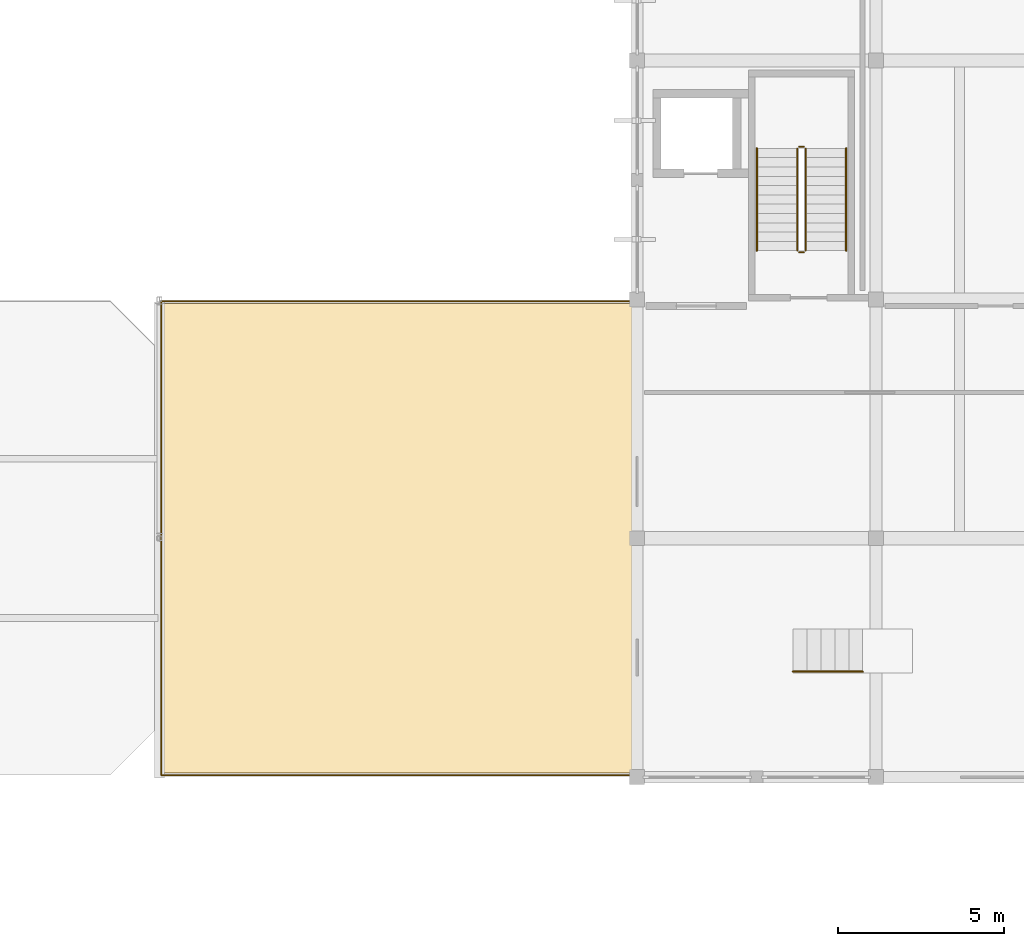
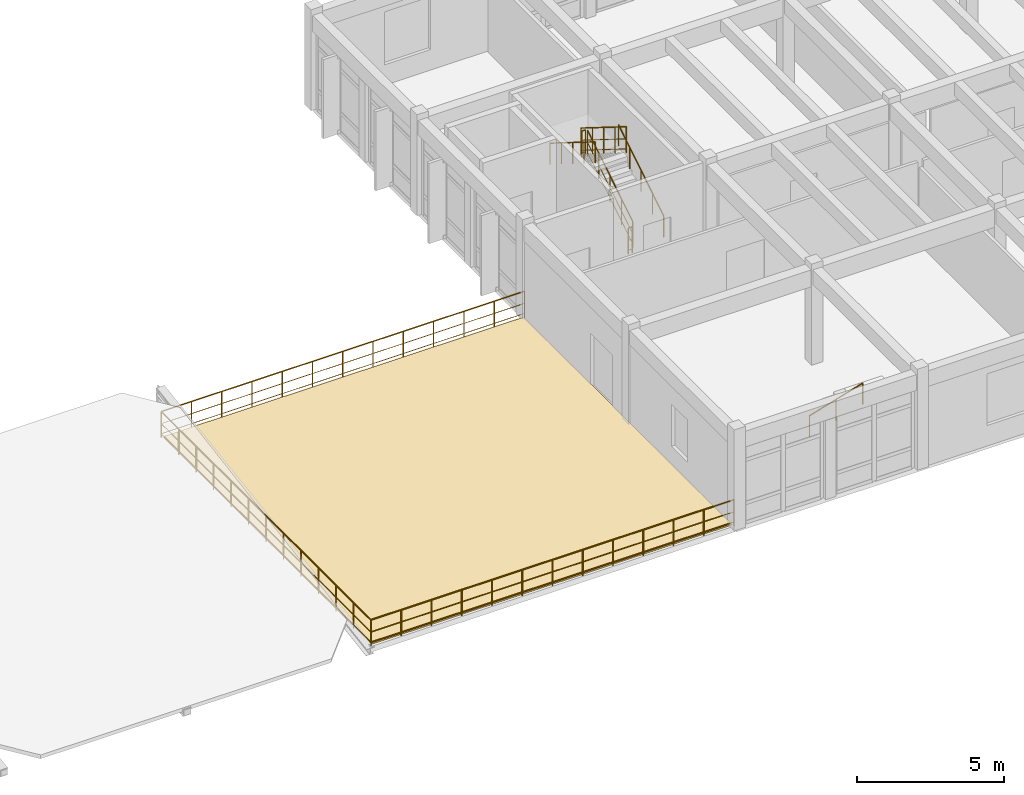
# One storey, part 130 of 136: 10 railings, 1 covering.
"""IFC4 building model written with IfcOpenShell, lengths in metres."""

from ifc_helpers import new_model, si_unit, direction, frame, origin, origin_2d, place, context, subcontext, project, spatial, polyline, circle, outline, extrude, material, layer, layer_set, type_object, element, save


model = new_model("IFC4")

# Units and contexts
model_context = context("Model", 3, precision=1e-05, world=origin(), true_north=direction((0.0, 1.0)))
body_context = subcontext(model_context, "Body", "Model", "MODEL_VIEW")
ifc_project = project(units=[si_unit("LENGTHUNIT", "METRE"), si_unit("AREAUNIT", "SQUARE_METRE"), si_unit("VOLUMEUNIT", "CUBIC_METRE"), si_unit("PLANEANGLEUNIT", "RADIAN"), si_unit("MASSUNIT", "GRAM", prefix="KILO")], contexts=[model_context])

# Site, building, storey
site_placement = place(None, origin())
site = spatial("IfcSite", under=ifc_project, at=site_placement, CompositionType="ELEMENT")
building_placement = place(site_placement, origin())
building = spatial("IfcBuilding", under=site, at=building_placement, Name="Koriwan Promenade Central Fire Station", CompositionType="ELEMENT")
storey_placement = place(building_placement, frame((0.0, 0.0, 5.39990234375)))
storey = spatial("IfcBuildingStorey", under=building, at=storey_placement, Name="L01", CompositionType="ELEMENT", Elevation=5.39990234375)

# Covering
ifc_material_1 = material(Name="Waterproofed xerophytic roof-garden drainage build-up", Category="membrane")
ifc_layer_1 = layer(ifc_material_1, 0.06005859375, Name="Waterproofed xerophytic roof-garden drainage build-up")
ifc_layer_set_1 = layer_set([ifc_layer_1], Name="Waterproofed xerophytic roof-garden drainage build-up")
covering_type = type_object("IfcCoveringType", Name="RoofCovering_Garden", PredefinedType="ROOFING", material=ifc_layer_set_1)
covering_placement = place(storey_placement, origin())
element("IfcCovering", 1, at=covering_placement, inside=storey, type_object=covering_type, Name="Crew West Veranda Terrace waterproofed garden build-up", PredefinedType="ROOFING", context=body_context, shape_type="SweptSolid", body=[
    extrude(outline(polyline([(28.679931640625, 43.320068359375), (14.52001953125, 43.320068359375), (14.52001953125, 57.47998046875), (28.679931640625, 57.47998046875), (28.679931640625, 43.320068359375)])), origin(), (0.0, 0.0, 1.0), 0.06005859375),
])

# Railings
ifc_material_2 = material(Name="Steel ASTM A500 Grade C", Category="steel")
ifc_layer_2 = layer(ifc_material_2, 0.050048828125, Name="Steel ASTM A500 Grade C")
ifc_layer_set_2 = layer_set([ifc_layer_2], Name="Steel ASTM A500 Grade C")
railing_type_1 = type_object("IfcRailingType", Name="StairGuard_1100", PredefinedType="BALUSTRADE", material=ifc_layer_set_2)
railing_1_placement = place(storey_placement, frame((33.8798828125, 59.070068359375, 0.175048828125)))
element("IfcRailing", 2, at=railing_1_placement, inside=storey, type_object=railing_type_1, Name="L01 ST18 stair guard 1", PredefinedType="BALUSTRADE", context=body_context, shape_type="SweptSolid", body=[
    extrude(circle(Radius=0.02392578125, at=origin_2d()), frame((0.0, 0.0, 1.076171875), z_axis=(0.0, 0.847979421464, 0.530029150871), x_axis=(-1.0, 0.0, 0.0)), (0.0, 0.0, 1.0), 3.632080078125),
    extrude(circle(Radius=0.012939453125, at=origin_2d()), frame((0.0, 0.0, 0.572021484375), z_axis=(0.0, 0.847979421464, 0.530029150871), x_axis=(-1.0, 0.0, 0.0)), (0.0, 0.0, 1.0), 3.632080078125),
    extrude(circle(Radius=0.012939453125, at=origin_2d()), frame((0.0, 0.0, 0.154052734375), z_axis=(0.0, 0.847979421464, 0.530029150871), x_axis=(-1.0, 0.0, 0.0)), (0.0, 0.0, 1.0), 3.632080078125),
    extrude(circle(Radius=0.02099609375, at=origin_2d()), origin(), (0.0, 0.0, 1.0), 1.052001953125),
    extrude(circle(Radius=0.02099609375, at=origin_2d()), frame((0.0, 0.77001953125, 0.481201171875)), (0.0, 0.0, 1.0), 1.052001953125),
    extrude(circle(Radius=0.02099609375, at=origin_2d()), frame((0.0, 1.5400390625, 0.96240234375)), (0.0, 0.0, 1.0), 1.052001953125),
    extrude(circle(Radius=0.02099609375, at=origin_2d()), frame((0.0, 2.309814453125, 1.44384765625)), (0.0, 0.0, 1.0), 1.052001953125),
    extrude(circle(Radius=0.02099609375, at=origin_2d()), frame((0.0, 3.079833984375, 1.925048828125)), (0.0, 0.0, 1.0), 1.052001953125),
])
railing_2_placement = place(storey_placement, frame((33.830078125, 62.199951171875, 2.10009765625)))
element("IfcRailing", 3, at=railing_2_placement, inside=storey, type_object=railing_type_1, Name="L01 ST18 stair guard 2", PredefinedType="BALUSTRADE", context=body_context, shape_type="SweptSolid", body=[
    extrude(circle(Radius=0.02392578125, at=origin_2d()), frame((0.0, 0.0, 1.076171875), z_axis=(-1.0, 0.0, 0.0), x_axis=(0.0, -1.0, 0.0)), (0.0, 0.0, 1.0), 0.150146484375),
    extrude(circle(Radius=0.012939453125, at=origin_2d()), frame((0.0, 0.0, 0.572021484375), z_axis=(-1.0, 0.0, 0.0), x_axis=(0.0, -1.0, 0.0)), (0.0, 0.0, 1.0), 0.150146484375),
    extrude(circle(Radius=0.012939453125, at=origin_2d()), frame((0.0, 0.0, 0.154052734375), z_axis=(-1.0, 0.0, 0.0), x_axis=(0.0, -1.0, 0.0)), (0.0, 0.0, 1.0), 0.150146484375),
    extrude(circle(Radius=0.02099609375, at=origin_2d()), origin(), (0.0, 0.0, 1.0), 1.052001953125),
    extrude(circle(Radius=0.02099609375, at=origin_2d()), frame((-0.150146484375, 0.0, 0.0)), (0.0, 0.0, 1.0), 1.052001953125),
])
railing_3_placement = place(storey_placement, frame((33.6298828125, 62.14990234375, 2.275146484375)))
element("IfcRailing", 4, at=railing_3_placement, inside=storey, type_object=railing_type_1, Name="L01 ST18 stair guard 3", PredefinedType="BALUSTRADE", context=body_context, shape_type="SweptSolid", body=[
    extrude(circle(Radius=0.02392578125, at=origin_2d()), frame((0.0, 0.0, 1.076171875), z_axis=(0.0, -0.847979421464, 0.530029150871), x_axis=(1.0, 0.0, 0.0)), (0.0, 0.0, 1.0), 3.632080078125),
    extrude(circle(Radius=0.012939453125, at=origin_2d()), frame((0.0, 0.0, 0.572021484375), z_axis=(0.0, -0.847979421464, 0.530029150871), x_axis=(1.0, 0.0, 0.0)), (0.0, 0.0, 1.0), 3.632080078125),
    extrude(circle(Radius=0.012939453125, at=origin_2d()), frame((0.0, 0.0, 0.154052734375), z_axis=(0.0, -0.847979421464, 0.530029150871), x_axis=(1.0, 0.0, 0.0)), (0.0, 0.0, 1.0), 3.632080078125),
    extrude(circle(Radius=0.02099609375, at=origin_2d()), origin(), (0.0, 0.0, 1.0), 1.052001953125),
    extrude(circle(Radius=0.02099609375, at=origin_2d()), frame((0.0, -0.77001953125, 0.481201171875)), (0.0, 0.0, 1.0), 1.052001953125),
    extrude(circle(Radius=0.02099609375, at=origin_2d()), frame((0.0, -1.5400390625, 0.96240234375)), (0.0, 0.0, 1.0), 1.052001953125),
    extrude(circle(Radius=0.02099609375, at=origin_2d()), frame((0.0, -2.309814453125, 1.44384765625)), (0.0, 0.0, 1.0), 1.052001953125),
    extrude(circle(Radius=0.02099609375, at=origin_2d()), frame((0.0, -3.079833984375, 1.925048828125)), (0.0, 0.0, 1.0), 1.052001953125),
])
railing_4_placement = place(storey_placement, frame((33.830078125, 59.02001953125, 0.0)))
element("IfcRailing", 5, at=railing_4_placement, inside=storey, type_object=railing_type_1, Name="L01 ST18 stair guard 4", PredefinedType="BALUSTRADE", context=body_context, shape_type="SweptSolid", body=[
    extrude(circle(Radius=0.02392578125, at=origin_2d()), frame((0.0, 0.0, 1.076171875), z_axis=(-1.0, 0.0, 0.0), x_axis=(0.0, -1.0, 0.0)), (0.0, 0.0, 1.0), 0.150146484375),
    extrude(circle(Radius=0.012939453125, at=origin_2d()), frame((0.0, 0.0, 0.572021484375), z_axis=(-1.0, 0.0, 0.0), x_axis=(0.0, -1.0, 0.0)), (0.0, 0.0, 1.0), 0.150146484375),
    extrude(circle(Radius=0.012939453125, at=origin_2d()), frame((0.0, 0.0, 0.154052734375), z_axis=(-1.0, 0.0, 0.0), x_axis=(0.0, -1.0, 0.0)), (0.0, 0.0, 1.0), 0.150146484375),
    extrude(circle(Radius=0.02099609375, at=origin_2d()), origin(), (0.0, 0.0, 1.0), 1.052001953125),
    extrude(circle(Radius=0.02099609375, at=origin_2d()), frame((-0.150146484375, 0.0, 0.0)), (0.0, 0.0, 1.0), 1.052001953125),
])
ifc_material_3 = material(Name="Stainless steel 316 tubular handrail", Category="steel")
ifc_layer_3 = layer(ifc_material_3, 0.048095703125, Name="Stainless steel 316 tubular handrail")
ifc_layer_set_3 = layer_set([ifc_layer_3], Name="Stainless steel 316 tubular handrail")
railing_type_2 = type_object("IfcRailingType", Name="StairHandrail_900", PredefinedType="HANDRAIL", material=ifc_layer_set_3)
railing_5_placement = place(storey_placement, frame((35.10009765625, 59.070068359375, 0.175048828125)))
element("IfcRailing", 6, at=railing_5_placement, inside=storey, type_object=railing_type_2, Name="L01 ST18 stair handrail 1", PredefinedType="HANDRAIL", context=body_context, shape_type="SweptSolid", body=[
    extrude(circle(Radius=0.02392578125, at=origin_2d()), frame((0.0, 0.0, 0.8759765625), z_axis=(0.0, 0.847979421464, 0.530029150871), x_axis=(-1.0, 0.0, 0.0)), (0.0, 0.0, 1.0), 3.632080078125),
    extrude(circle(Radius=0.02099609375, at=origin_2d()), origin(), (0.0, 0.0, 1.0), 0.851806640625),
    extrude(circle(Radius=0.02099609375, at=origin_2d()), frame((0.0, 0.77001953125, 0.481201171875)), (0.0, 0.0, 1.0), 0.851806640625),
    extrude(circle(Radius=0.02099609375, at=origin_2d()), frame((0.0, 1.5400390625, 0.96240234375)), (0.0, 0.0, 1.0), 0.851806640625),
    extrude(circle(Radius=0.02099609375, at=origin_2d()), frame((0.0, 2.309814453125, 1.44384765625)), (0.0, 0.0, 1.0), 0.851806640625),
    extrude(circle(Radius=0.02099609375, at=origin_2d()), frame((0.0, 3.079833984375, 1.925048828125)), (0.0, 0.0, 1.0), 0.851806640625),
])
railing_6_placement = place(storey_placement, frame((32.409912109375, 62.14990234375, 2.275146484375)))
element("IfcRailing", 7, at=railing_6_placement, inside=storey, type_object=railing_type_2, Name="L01 ST18 stair handrail 2", PredefinedType="HANDRAIL", context=body_context, shape_type="SweptSolid", body=[
    extrude(circle(Radius=0.02392578125, at=origin_2d()), frame((0.0, 0.0, 0.8759765625), z_axis=(0.0, -0.847979421464, 0.530029150871), x_axis=(1.0, 0.0, 0.0)), (0.0, 0.0, 1.0), 3.632080078125),
    extrude(circle(Radius=0.02099609375, at=origin_2d()), origin(), (0.0, 0.0, 1.0), 0.851806640625),
    extrude(circle(Radius=0.02099609375, at=origin_2d()), frame((0.0, -0.77001953125, 0.481201171875)), (0.0, 0.0, 1.0), 0.851806640625),
    extrude(circle(Radius=0.02099609375, at=origin_2d()), frame((0.0, -1.5400390625, 0.96240234375)), (0.0, 0.0, 1.0), 0.851806640625),
    extrude(circle(Radius=0.02099609375, at=origin_2d()), frame((0.0, -2.309814453125, 1.44384765625)), (0.0, 0.0, 1.0), 0.851806640625),
    extrude(circle(Radius=0.02099609375, at=origin_2d()), frame((0.0, -3.079833984375, 1.925048828125)), (0.0, 0.0, 1.0), 0.851806640625),
])
railing_7_placement = place(storey_placement, frame((33.5, 46.3798828125, 0.125)))
element("IfcRailing", 8, at=railing_7_placement, inside=storey, type_object=railing_type_2, Name="DAIS_V4_MESS dais handrail", PredefinedType="HANDRAIL", context=body_context, shape_type="SweptSolid", body=[
    extrude(circle(Radius=0.02392578125, at=origin_2d()), frame((0.0, 0.0, 0.8759765625), z_axis=(0.958455704924, 0.0, 0.28524140951), x_axis=(0.0, 1.0, 0.0)), (0.0, 0.0, 1.0), 2.191162109375),
    extrude(circle(Radius=0.02099609375, at=origin_2d()), origin(), (0.0, 0.0, 1.0), 0.851806640625),
    extrude(circle(Radius=0.02099609375, at=origin_2d()), frame((1.050048828125, 0.0, 0.3125)), (0.0, 0.0, 1.0), 0.851806640625),
    extrude(circle(Radius=0.02099609375, at=origin_2d()), frame((2.10009765625, 0.0, 0.625)), (0.0, 0.0, 1.0), 0.851806640625),
])
ifc_layer_4 = layer(ifc_material_2, 0.06005859375, Name="Steel ASTM A500 Grade C")
ifc_layer_set_4 = layer_set([ifc_layer_4], Name="Steel ASTM A500 Grade C")
railing_type_3 = type_object("IfcRailingType", Name="TerraceGuard_1100", PredefinedType="BALUSTRADE", material=ifc_layer_set_4)
railing_8_placement = place(storey_placement, frame((28.739990234375, 43.260009765625, 0.0)))
element("IfcRailing", 9, at=railing_8_placement, inside=storey, type_object=railing_type_3, Name="Crew West Veranda Terrace protective balustrade 008", PredefinedType="BALUSTRADE", context=body_context, shape_type="SweptSolid", body=[
    extrude(circle(Radius=0.02392578125, at=origin_2d()), frame((0.0, 0.0, 1.076171875), z_axis=(-1.0, 0.0, 0.0), x_axis=(0.0, -1.0, 0.0)), (0.0, 0.0, 1.0), 14.280029296875),
    extrude(circle(Radius=0.012939453125, at=origin_2d()), frame((0.0, 0.0, 0.572021484375), z_axis=(-1.0, 0.0, 0.0), x_axis=(0.0, -1.0, 0.0)), (0.0, 0.0, 1.0), 14.280029296875),
    extrude(circle(Radius=0.012939453125, at=origin_2d()), frame((0.0, 0.0, 0.154052734375), z_axis=(-1.0, 0.0, 0.0), x_axis=(0.0, -1.0, 0.0)), (0.0, 0.0, 1.0), 14.280029296875),
    extrude(circle(Radius=0.02099609375, at=origin_2d()), origin(), (0.0, 0.0, 1.0), 1.052001953125),
    extrude(circle(Radius=0.02099609375, at=origin_2d()), frame((-1.18994140625, 0.0, 0.0)), (0.0, 0.0, 1.0), 1.052001953125),
    extrude(circle(Radius=0.02099609375, at=origin_2d()), frame((-2.3798828125, 0.0, 0.0)), (0.0, 0.0, 1.0), 1.052001953125),
    extrude(circle(Radius=0.02099609375, at=origin_2d()), frame((-3.570068359375, 0.0, 0.0)), (0.0, 0.0, 1.0), 1.052001953125),
    extrude(circle(Radius=0.02099609375, at=origin_2d()), frame((-4.760009765625, 0.0, 0.0)), (0.0, 0.0, 1.0), 1.052001953125),
    extrude(circle(Radius=0.02099609375, at=origin_2d()), frame((-5.949951171875, 0.0, 0.0)), (0.0, 0.0, 1.0), 1.052001953125),
    extrude(circle(Radius=0.02099609375, at=origin_2d()), frame((-7.14013671875, 0.0, 0.0)), (0.0, 0.0, 1.0), 1.052001953125),
    extrude(circle(Radius=0.02099609375, at=origin_2d()), frame((-8.330078125, 0.0, 0.0)), (0.0, 0.0, 1.0), 1.052001953125),
    extrude(circle(Radius=0.02099609375, at=origin_2d()), frame((-9.52001953125, 0.0, 0.0)), (0.0, 0.0, 1.0), 1.052001953125),
    extrude(circle(Radius=0.02099609375, at=origin_2d()), frame((-10.7099609375, 0.0, 0.0)), (0.0, 0.0, 1.0), 1.052001953125),
    extrude(circle(Radius=0.02099609375, at=origin_2d()), frame((-11.89990234375, 0.0, 0.0)), (0.0, 0.0, 1.0), 1.052001953125),
    extrude(circle(Radius=0.02099609375, at=origin_2d()), frame((-13.090087890625, 0.0, 0.0)), (0.0, 0.0, 1.0), 1.052001953125),
    extrude(circle(Radius=0.02099609375, at=origin_2d()), frame((-14.280029296875, 0.0, 0.0)), (0.0, 0.0, 1.0), 1.052001953125),
])
railing_9_placement = place(storey_placement, frame((14.4599609375, 43.260009765625, 0.0)))
element("IfcRailing", 10, at=railing_9_placement, inside=storey, type_object=railing_type_3, Name="Crew West Veranda Terrace protective balustrade 009", PredefinedType="BALUSTRADE", context=body_context, shape_type="SweptSolid", body=[
    extrude(circle(Radius=0.02392578125, at=origin_2d()), frame((0.0, 0.0, 1.076171875), z_axis=(0.0, 1.0, 0.0), x_axis=(-1.0, 0.0, 0.0)), (0.0, 0.0, 1.0), 14.280029296875),
    extrude(circle(Radius=0.012939453125, at=origin_2d()), frame((0.0, 0.0, 0.572021484375), z_axis=(0.0, 1.0, 0.0), x_axis=(-1.0, 0.0, 0.0)), (0.0, 0.0, 1.0), 14.280029296875),
    extrude(circle(Radius=0.012939453125, at=origin_2d()), frame((0.0, 0.0, 0.154052734375), z_axis=(0.0, 1.0, 0.0), x_axis=(-1.0, 0.0, 0.0)), (0.0, 0.0, 1.0), 14.280029296875),
    extrude(circle(Radius=0.02099609375, at=origin_2d()), origin(), (0.0, 0.0, 1.0), 1.052001953125),
    extrude(circle(Radius=0.02099609375, at=origin_2d()), frame((0.0, 1.18994140625, 0.0)), (0.0, 0.0, 1.0), 1.052001953125),
    extrude(circle(Radius=0.02099609375, at=origin_2d()), frame((0.0, 2.3798828125, 0.0)), (0.0, 0.0, 1.0), 1.052001953125),
    extrude(circle(Radius=0.02099609375, at=origin_2d()), frame((0.0, 3.570068359375, 0.0)), (0.0, 0.0, 1.0), 1.052001953125),
    extrude(circle(Radius=0.02099609375, at=origin_2d()), frame((0.0, 4.760009765625, 0.0)), (0.0, 0.0, 1.0), 1.052001953125),
    extrude(circle(Radius=0.02099609375, at=origin_2d()), frame((0.0, 5.949951171875, 0.0)), (0.0, 0.0, 1.0), 1.052001953125),
    extrude(circle(Radius=0.02099609375, at=origin_2d()), frame((0.0, 7.14013671875, 0.0)), (0.0, 0.0, 1.0), 1.052001953125),
    extrude(circle(Radius=0.02099609375, at=origin_2d()), frame((0.0, 8.330078125, 0.0)), (0.0, 0.0, 1.0), 1.052001953125),
    extrude(circle(Radius=0.02099609375, at=origin_2d()), frame((0.0, 9.52001953125, 0.0)), (0.0, 0.0, 1.0), 1.052001953125),
    extrude(circle(Radius=0.02099609375, at=origin_2d()), frame((0.0, 10.7099609375, 0.0)), (0.0, 0.0, 1.0), 1.052001953125),
    extrude(circle(Radius=0.02099609375, at=origin_2d()), frame((0.0, 11.89990234375, 0.0)), (0.0, 0.0, 1.0), 1.052001953125),
    extrude(circle(Radius=0.02099609375, at=origin_2d()), frame((0.0, 13.090087890625, 0.0)), (0.0, 0.0, 1.0), 1.052001953125),
    extrude(circle(Radius=0.02099609375, at=origin_2d()), frame((0.0, 14.280029296875, 0.0)), (0.0, 0.0, 1.0), 1.052001953125),
])
railing_10_placement = place(storey_placement, frame((14.4599609375, 57.5400390625, 0.0)))
element("IfcRailing", 11, at=railing_10_placement, inside=storey, type_object=railing_type_3, Name="Crew West Veranda Terrace protective balustrade 010", PredefinedType="BALUSTRADE", context=body_context, shape_type="SweptSolid", body=[
    extrude(circle(Radius=0.02392578125, at=origin_2d()), frame((0.0, 0.0, 1.076171875), z_axis=(1.0, 0.0, 0.0), x_axis=(0.0, 1.0, 0.0)), (0.0, 0.0, 1.0), 14.280029296875),
    extrude(circle(Radius=0.012939453125, at=origin_2d()), frame((0.0, 0.0, 0.572021484375), z_axis=(1.0, 0.0, 0.0), x_axis=(0.0, 1.0, 0.0)), (0.0, 0.0, 1.0), 14.280029296875),
    extrude(circle(Radius=0.012939453125, at=origin_2d()), frame((0.0, 0.0, 0.154052734375), z_axis=(1.0, 0.0, 0.0), x_axis=(0.0, 1.0, 0.0)), (0.0, 0.0, 1.0), 14.280029296875),
    extrude(circle(Radius=0.02099609375, at=origin_2d()), origin(), (0.0, 0.0, 1.0), 1.052001953125),
    extrude(circle(Radius=0.02099609375, at=origin_2d()), frame((1.18994140625, 0.0, 0.0)), (0.0, 0.0, 1.0), 1.052001953125),
    extrude(circle(Radius=0.02099609375, at=origin_2d()), frame((2.3798828125, 0.0, 0.0)), (0.0, 0.0, 1.0), 1.052001953125),
    extrude(circle(Radius=0.02099609375, at=origin_2d()), frame((3.570068359375, 0.0, 0.0)), (0.0, 0.0, 1.0), 1.052001953125),
    extrude(circle(Radius=0.02099609375, at=origin_2d()), frame((4.760009765625, 0.0, 0.0)), (0.0, 0.0, 1.0), 1.052001953125),
    extrude(circle(Radius=0.02099609375, at=origin_2d()), frame((5.949951171875, 0.0, 0.0)), (0.0, 0.0, 1.0), 1.052001953125),
    extrude(circle(Radius=0.02099609375, at=origin_2d()), frame((7.14013671875, 0.0, 0.0)), (0.0, 0.0, 1.0), 1.052001953125),
    extrude(circle(Radius=0.02099609375, at=origin_2d()), frame((8.330078125, 0.0, 0.0)), (0.0, 0.0, 1.0), 1.052001953125),
    extrude(circle(Radius=0.02099609375, at=origin_2d()), frame((9.52001953125, 0.0, 0.0)), (0.0, 0.0, 1.0), 1.052001953125),
    extrude(circle(Radius=0.02099609375, at=origin_2d()), frame((10.7099609375, 0.0, 0.0)), (0.0, 0.0, 1.0), 1.052001953125),
    extrude(circle(Radius=0.02099609375, at=origin_2d()), frame((11.89990234375, 0.0, 0.0)), (0.0, 0.0, 1.0), 1.052001953125),
    extrude(circle(Radius=0.02099609375, at=origin_2d()), frame((13.090087890625, 0.0, 0.0)), (0.0, 0.0, 1.0), 1.052001953125),
    extrude(circle(Radius=0.02099609375, at=origin_2d()), frame((14.280029296875, 0.0, 0.0)), (0.0, 0.0, 1.0), 1.052001953125),
])

save(model, "model.ifc")
